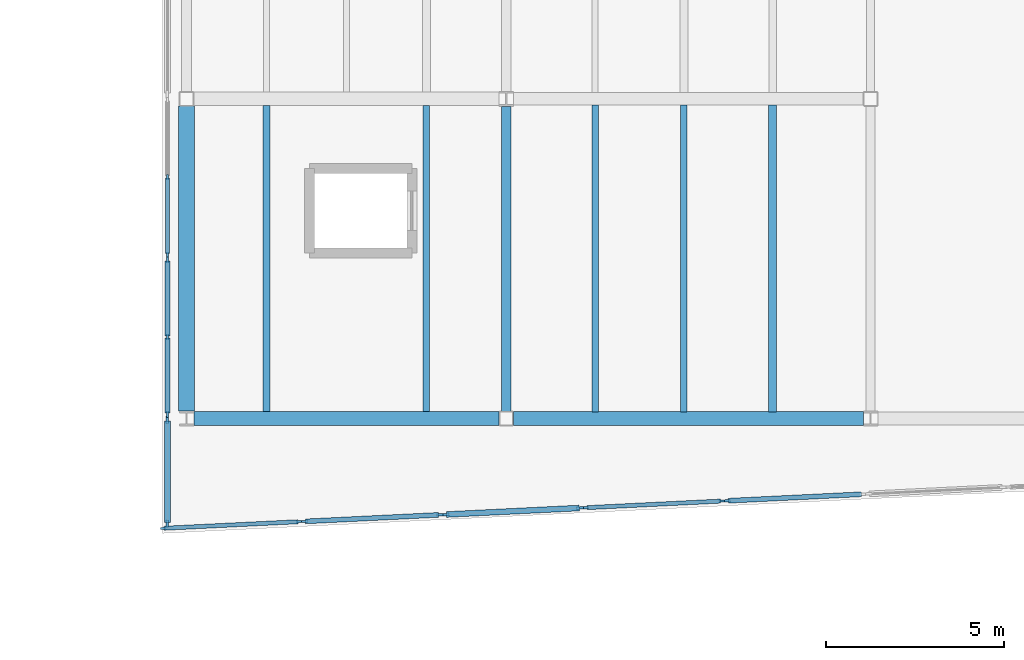
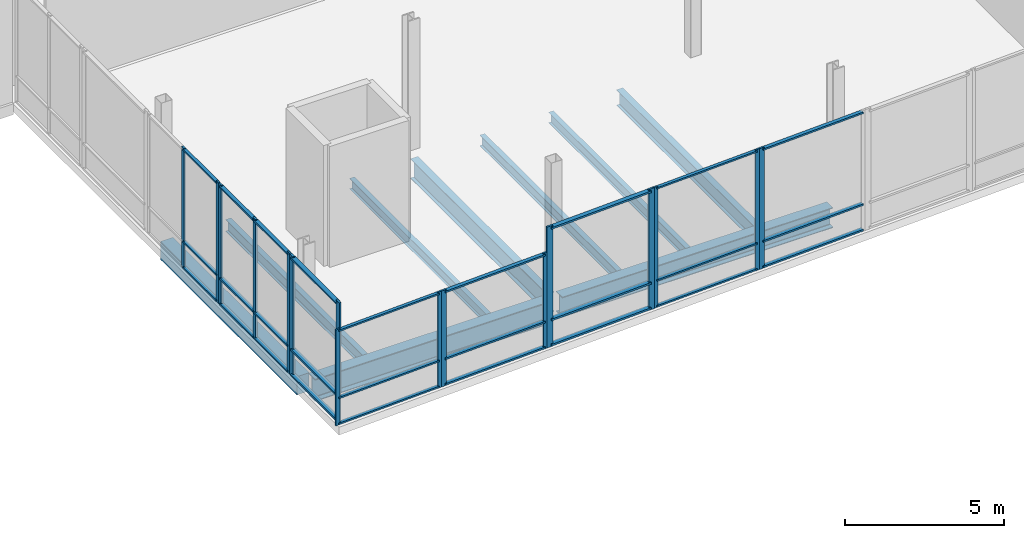
# One storey, part 19 of 81: 43 members, 9 beams, 8 elements without a shape of their own.
"""IFC4 building model written with IfcOpenShell, lengths in metres."""

from ifc_helpers import new_model, si_unit, direction, frame, origin, origin_2d, place, context, subcontext, project, spatial, rectangle, i_section, extrude, material, material_profile, profile_set, type_object, element, aggregate, save


model = new_model("IFC4")

# Units and contexts
model_context = context("Model", 3, precision=1e-05, world=origin(), true_north=direction((0.0, 1.0)))
body_context = subcontext(model_context, "Body", "Model", "MODEL_VIEW")
ifc_project = project(units=[si_unit("LENGTHUNIT", "METRE"), si_unit("AREAUNIT", "SQUARE_METRE"), si_unit("VOLUMEUNIT", "CUBIC_METRE"), si_unit("PLANEANGLEUNIT", "RADIAN"), si_unit("MASSUNIT", "GRAM", prefix="KILO")], contexts=[model_context])

# Site, building, storey
site_placement = place(None, origin())
site = spatial("IfcSite", under=ifc_project, at=site_placement, CompositionType="ELEMENT")
building_placement = place(site_placement, origin())
building = spatial("IfcBuilding", under=site, at=building_placement, Name="Trimount Lyric Opera House", CompositionType="ELEMENT")
storey_placement = place(building_placement, frame((0.0, 0.0, 5.0)))
storey = spatial("IfcBuildingStorey", under=building, at=storey_placement, Name="L01", CompositionType="ELEMENT", Elevation=5.0)

# Beams
ifc_material_1 = material(Name="Steel ASTM A992 Grade 50", Category="steel")
ifc_material_profile_1 = material_profile(ifc_material_1, i_section(OverallWidth=0.40087890625, OverallDepth=0.861083984375, WebThickness=0.019775390625, FlangeThickness=0.032470703125, FilletRadius=0.02001953125, at=origin_2d()), Name="W33X221")
ifc_profile_set_1 = profile_set([ifc_material_profile_1], Name="Steel ASTM A992 Grade 50")
beam_type_1 = type_object("IfcBeamType", Name="B-04", PredefinedType="BEAM", material=ifc_profile_set_1)
beam_1_placement = place(storey_placement, frame((45.202880859375, 26.0, -0.73046875), z_axis=(1.0, 0.0, 0.0), x_axis=(0.0, 1.0, 0.0)))
element("IfcBeam", 1, at=beam_1_placement, inside=storey, type_object=beam_type_1, Name="L01 girder X-0466", PredefinedType="BEAM", context=body_context, shape_type="SweptSolid", body=[
    extrude(i_section(OverallWidth=0.40087890625, OverallDepth=0.861083984375, WebThickness=0.019775390625, FlangeThickness=0.032470703125, FilletRadius=0.02001953125, at=origin_2d()), origin(), (0.0, 0.0, 1.0), 8.593994140625),
])
ifc_material_2 = material(Name="Steel ASTM A992 Grade 50", Category="steel")
ifc_material_profile_2 = material_profile(ifc_material_2, i_section(OverallWidth=0.382080078125, OverallDepth=0.779052734375, WebThickness=0.01806640625, FlangeThickness=0.0302734375, FilletRadius=0.01904296875, at=origin_2d()), Name="W30X191")
ifc_profile_set_2 = profile_set([ifc_material_profile_2], Name="Steel ASTM A992 Grade 50")
beam_type_2 = type_object("IfcBeamType", Name="B-06", PredefinedType="BEAM", material=ifc_profile_set_2)
beam_2_placement = place(storey_placement, frame((54.203125, 26.0, -0.689453125), z_axis=(1.0, 0.0, 0.0), x_axis=(0.0, 1.0, 0.0)))
element("IfcBeam", 2, at=beam_2_placement, inside=storey, type_object=beam_type_2, Name="L01 girder X-0467", PredefinedType="BEAM", context=body_context, shape_type="SweptSolid", body=[
    extrude(i_section(OverallWidth=0.382080078125, OverallDepth=0.779052734375, WebThickness=0.01806640625, FlangeThickness=0.0302734375, FilletRadius=0.01904296875, at=origin_2d()), origin(), (0.0, 0.0, 1.0), 9.853759765625),
])
ifc_material_3 = material(Name="Steel ASTM A992 Grade 50", Category="steel")
ifc_material_profile_3 = material_profile(ifc_material_3, i_section(OverallWidth=0.26708984375, OverallDepth=0.761962890625, WebThickness=0.014404296875, FlangeThickness=0.021484375, FilletRadius=0.01708984375, at=origin_2d()), Name="W30X116")
ifc_profile_set_3 = profile_set([ifc_material_profile_3], Name="Steel ASTM A992 Grade 50")
beam_type_3 = type_object("IfcBeamType", Name="B-07", PredefinedType="BEAM", material=ifc_profile_set_3)
beam_3_placement = place(storey_placement, frame((54.0, 26.203125, -0.680908203125), z_axis=(0.0, 1.0, 0.0), x_axis=(-1.0, 0.0, 0.0)))
element("IfcBeam", 3, at=beam_3_placement, inside=storey, type_object=beam_type_3, Name="L01 girder Y-0637", PredefinedType="BEAM", context=body_context, shape_type="SweptSolid", body=[
    extrude(i_section(OverallWidth=0.26708984375, OverallDepth=0.761962890625, WebThickness=0.014404296875, FlangeThickness=0.021484375, FilletRadius=0.01708984375, at=origin_2d()), origin(), (0.0, 0.0, 1.0), 8.58837890625),
])
ifc_material_4 = material(Name="Steel ASTM A992 Grade 50", Category="steel")
ifc_material_profile_4 = material_profile(ifc_material_4, i_section(OverallWidth=0.22802734375, OverallDepth=0.60205078125, WebThickness=0.010498046875, FlangeThickness=0.014892578125, FilletRadius=0.012939453125, at=origin_2d()), Name="W24X68")
ifc_profile_set_4 = profile_set([ifc_material_profile_4], Name="Steel ASTM A992 Grade 50")
beam_type_4 = type_object("IfcBeamType", Name="J-01", PredefinedType="BEAM", material=ifc_profile_set_4)
beam_4_placement = place(storey_placement, frame((61.5, 26.18701171875, -0.60107421875), z_axis=(0.0, 1.0, 0.0), x_axis=(-1.0, 0.0, 0.0)))
element("IfcBeam", 4, at=beam_4_placement, inside=storey, type_object=beam_type_4, Name="L01 composite floor joist 0664", PredefinedType="BEAM", context=body_context, shape_type="SweptSolid", body=[
    extrude(i_section(OverallWidth=0.22802734375, OverallDepth=0.60205078125, WebThickness=0.010498046875, FlangeThickness=0.014892578125, FilletRadius=0.012939453125, at=origin_2d()), origin(), (0.0, 0.0, 1.0), 8.638916015625),
])
ifc_material_5 = material(Name="Steel ASTM A992 Grade 50", Category="steel")
ifc_material_profile_5 = material_profile(ifc_material_5, i_section(OverallWidth=0.19091796875, OverallDepth=0.45703125, WebThickness=0.009033203125, FlangeThickness=0.014404296875, FilletRadius=0.010986328125, at=origin_2d()), Name="W18X50")
ifc_profile_set_5 = profile_set([ifc_material_profile_5], Name="Steel ASTM A992 Grade 50")
beam_type_5 = type_object("IfcBeamType", Name="J-04", PredefinedType="BEAM", material=ifc_profile_set_5)
beam_5_placement = place(storey_placement, frame((47.25, 26.196533203125, -0.528564453125), z_axis=(0.0, 1.0, 0.0), x_axis=(-1.0, 0.0, 0.0)))
element("IfcBeam", 5, at=beam_5_placement, inside=storey, type_object=beam_type_5, Name="L01 composite floor joist 0633", PredefinedType="BEAM", context=body_context, shape_type="SweptSolid", body=[
    extrude(i_section(OverallWidth=0.19091796875, OverallDepth=0.45703125, WebThickness=0.009033203125, FlangeThickness=0.014404296875, FilletRadius=0.010986328125, at=origin_2d()), origin(), (0.0, 0.0, 1.0), 8.616455078125),
])
ifc_material_6 = material(Name="Steel ASTM A992 Grade 50", Category="steel")
ifc_material_profile_6 = material_profile(ifc_material_6, i_section(OverallWidth=0.180908203125, OverallDepth=0.4169921875, WebThickness=0.010986328125, FlangeThickness=0.018310546875, FilletRadius=0.010986328125, at=origin_2d()), Name="W16X57")
ifc_profile_set_6 = profile_set([ifc_material_profile_6], Name="Steel ASTM A992 Grade 50")
beam_type_6 = type_object("IfcBeamType", Name="J-05", PredefinedType="BEAM", material=ifc_profile_set_6)
beam_6_placement = place(storey_placement, frame((56.5, 26.18701171875, -0.508544921875), z_axis=(0.0, 1.0, 0.0), x_axis=(-1.0, 0.0, 0.0)))
element("IfcBeam", 6, at=beam_6_placement, inside=storey, type_object=beam_type_6, Name="L01 composite floor joist 0662", PredefinedType="BEAM", context=body_context, shape_type="SweptSolid", body=[
    extrude(i_section(OverallWidth=0.180908203125, OverallDepth=0.4169921875, WebThickness=0.010986328125, FlangeThickness=0.018310546875, FilletRadius=0.010986328125, at=origin_2d()), origin(), (0.0, 0.0, 1.0), 8.638916015625),
])
ifc_material_7 = material(Name="Steel ASTM A992 Grade 50", Category="steel")
ifc_material_profile_7 = material_profile(ifc_material_7, i_section(OverallWidth=0.177978515625, OverallDepth=0.404052734375, WebThickness=0.007568359375, FlangeThickness=0.010986328125, FilletRadius=0.010009765625, at=origin_2d()), Name="W16X36")
ifc_profile_set_7 = profile_set([ifc_material_profile_7], Name="Steel ASTM A992 Grade 50")
beam_type_7 = type_object("IfcBeamType", Name="J-06", PredefinedType="BEAM", material=ifc_profile_set_7)
beam_7_placement = place(storey_placement, frame((51.75, 26.196533203125, -0.501953125), z_axis=(0.0, 1.0, 0.0), x_axis=(-1.0, 0.0, 0.0)))
element("IfcBeam", 7, at=beam_7_placement, inside=storey, type_object=beam_type_7, Name="L01 composite floor joist 0634", PredefinedType="BEAM", context=body_context, shape_type="SweptSolid", body=[
    extrude(i_section(OverallWidth=0.177978515625, OverallDepth=0.404052734375, WebThickness=0.007568359375, FlangeThickness=0.010986328125, FilletRadius=0.010009765625, at=origin_2d()), origin(), (0.0, 0.0, 1.0), 8.616455078125),
])
beam_8_placement = place(storey_placement, frame((59.0, 26.18701171875, -0.501953125), z_axis=(0.0, 1.0, 0.0), x_axis=(-1.0, 0.0, 0.0)))
element("IfcBeam", 8, at=beam_8_placement, inside=storey, type_object=beam_type_7, Name="L01 composite floor joist 0663", PredefinedType="BEAM", context=body_context, shape_type="SweptSolid", body=[
    extrude(i_section(OverallWidth=0.177978515625, OverallDepth=0.404052734375, WebThickness=0.007568359375, FlangeThickness=0.010986328125, FilletRadius=0.010009765625, at=origin_2d()), origin(), (0.0, 0.0, 1.0), 8.638916015625),
])

# Curtain wall, members
ifc_material_8 = material(Name="Thermally Broken Aluminium and Low-E Glass", Category="aluminium")
curtain_wall_type = type_object("IfcCurtainWallType", Name="CW-01", PredefinedType="NOTDEFINED", material=ifc_material_8)
curtain_wall_1_placement = place(storey_placement, origin())
curtain_wall_1 = element("IfcCurtainWall", 9, at=curtain_wall_1_placement, inside=storey, type_object=curtain_wall_type, Name="L01 curtain wall 108", PredefinedType="NOTDEFINED")
ifc_material_9 = material(Name="Anodised Aluminium 6063-T6", Category="aluminium")
ifc_material_profile_8 = material_profile(ifc_material_9, rectangle(XDim=0.070068359375, YDim=0.219970703125, at=origin_2d()), Name="ALU-MULL-70X220")
ifc_profile_set_8 = profile_set([ifc_material_profile_8], Name="Anodised Aluminium 6063-T6")
member_type_1 = type_object("IfcMemberType", Name="ML-01", PredefinedType="MULLION", material=ifc_profile_set_8)
member_1_placement = place(storey_placement, frame((56.092041015625, 23.481201171875, 0.0), z_axis=(0.0, 0.0, 1.0), x_axis=(0.048678684537, -0.998814490119, 0.0)))
member_1 = element("IfcMember", 10, at=member_1_placement, type_object=member_type_1, Name="CW-01 mullion 1", PredefinedType="MULLION", context=body_context, shape_type="SweptSolid", body=[
    extrude(rectangle(XDim=0.070068359375, YDim=0.219970703125, at=origin_2d()), origin(), (0.0, 0.0, 1.0), 4.64990234375),
])
member_2_placement = place(storey_placement, frame((52.283935546875, 23.295654296875, 0.0), z_axis=(0.0, 0.0, 1.0), x_axis=(0.048678684537, -0.998814490119, 0.0)))
member_2 = element("IfcMember", 11, at=member_2_placement, type_object=member_type_1, Name="CW-01 mullion 2", PredefinedType="MULLION", context=body_context, shape_type="SweptSolid", body=[
    extrude(rectangle(XDim=0.070068359375, YDim=0.219970703125, at=origin_2d()), origin(), (0.0, 0.0, 1.0), 4.64990234375),
])

curtain_wall_2_placement = place(storey_placement, origin())
curtain_wall_2 = element("IfcCurtainWall", 12, at=curtain_wall_2_placement, inside=storey, type_object=curtain_wall_type, Name="L01 curtain wall 111", PredefinedType="NOTDEFINED")
member_3_placement = place(storey_placement, frame((44.4599609375, 23.0390625, 0.0), z_axis=(0.0, 0.0, 1.0), x_axis=(-1.0, 0.0, 0.0)))
member_3 = element("IfcMember", 13, at=member_3_placement, type_object=member_type_1, Name="CW-01 mullion 1", PredefinedType="MULLION", context=body_context, shape_type="SweptSolid", body=[
    extrude(rectangle(XDim=0.070068359375, YDim=0.219970703125, at=origin_2d()), origin(), (0.0, 0.0, 1.0), 4.64990234375),
])
member_4_placement = place(storey_placement, frame((44.4599609375, 25.965087890625, 0.0), z_axis=(0.0, 0.0, 1.0), x_axis=(-1.0, 0.0, 0.0)))
member_4 = element("IfcMember", 14, at=member_4_placement, type_object=member_type_1, Name="CW-01 mullion 2", PredefinedType="MULLION", context=body_context, shape_type="SweptSolid", body=[
    extrude(rectangle(XDim=0.070068359375, YDim=0.219970703125, at=origin_2d()), origin(), (0.0, 0.0, 1.0), 4.64990234375),
])

# Curtain wall, member
curtain_wall_3_placement = place(storey_placement, origin())
curtain_wall_3 = element("IfcCurtainWall", 15, at=curtain_wall_3_placement, inside=storey, type_object=curtain_wall_type, Name="L01 curtain wall 106", PredefinedType="NOTDEFINED")
ifc_material_10 = material(Name="Anodised Aluminium 6063-T6", Category="aluminium")
ifc_material_profile_9 = material_profile(ifc_material_10, rectangle(XDim=0.06494140625, YDim=0.179931640625, at=origin_2d()), Name="ALU-MULL-65X180")
ifc_profile_set_9 = profile_set([ifc_material_profile_9], Name="Anodised Aluminium 6063-T6")
member_type_2 = type_object("IfcMemberType", Name="ML-02", PredefinedType="MULLION", material=ifc_profile_set_9)
member_5_placement = place(storey_placement, frame((60.217529296875, 23.6826171875, 0.0), z_axis=(0.0, 0.0, 1.0), x_axis=(0.048678684537, -0.998814490119, 0.0)))
member_5 = element("IfcMember", 16, at=member_5_placement, type_object=member_type_2, Name="CW-01 mullion 2", PredefinedType="MULLION", context=body_context, shape_type="SweptSolid", body=[
    extrude(rectangle(XDim=0.06494140625, YDim=0.179931640625, at=origin_2d()), origin(), (0.0, 0.0, 1.0), 4.64990234375),
])

# Curtain wall, members
curtain_wall_4_placement = place(storey_placement, origin())
curtain_wall_4 = element("IfcCurtainWall", 17, at=curtain_wall_4_placement, inside=storey, type_object=curtain_wall_type, Name="L01 curtain wall 109", PredefinedType="NOTDEFINED")
member_6_placement = place(storey_placement, frame((52.12646484375, 23.287353515625, 0.0), z_axis=(0.0, 0.0, 1.0), x_axis=(0.048678684537, -0.998814490119, 0.0)))
member_6 = element("IfcMember", 18, at=member_6_placement, type_object=member_type_2, Name="CW-01 mullion 1", PredefinedType="MULLION", context=body_context, shape_type="SweptSolid", body=[
    extrude(rectangle(XDim=0.06494140625, YDim=0.179931640625, at=origin_2d()), origin(), (0.0, 0.0, 1.0), 3.693115234375),
])
member_7_placement = place(storey_placement, frame((48.3134765625, 23.1015625, 0.0), z_axis=(0.0, 0.0, 1.0), x_axis=(0.048678684537, -0.998814490119, 0.0)))
member_7 = element("IfcMember", 19, at=member_7_placement, type_object=member_type_2, Name="CW-01 mullion 2", PredefinedType="MULLION", context=body_context, shape_type="SweptSolid", body=[
    extrude(rectangle(XDim=0.06494140625, YDim=0.179931640625, at=origin_2d()), origin(), (0.0, 0.0, 1.0), 3.693115234375),
])

curtain_wall_5_placement = place(storey_placement, origin())
curtain_wall_5 = element("IfcCurtainWall", 20, at=curtain_wall_5_placement, inside=storey, type_object=curtain_wall_type, Name="L01 curtain wall 112", PredefinedType="NOTDEFINED")
member_8_placement = place(storey_placement, frame((44.4599609375, 26.12255859375, 0.0), z_axis=(0.0, 0.0, 1.0), x_axis=(-1.0, 0.0, 0.0)))
member_8 = element("IfcMember", 21, at=member_8_placement, type_object=member_type_2, Name="CW-01 mullion 1", PredefinedType="MULLION", context=body_context, shape_type="SweptSolid", body=[
    extrude(rectangle(XDim=0.06494140625, YDim=0.179931640625, at=origin_2d()), origin(), (0.0, 0.0, 1.0), 4.64990234375),
])
member_9_placement = place(storey_placement, frame((44.4599609375, 28.294921875, 0.0), z_axis=(0.0, 0.0, 1.0), x_axis=(-1.0, 0.0, 0.0)))
member_9 = element("IfcMember", 22, at=member_9_placement, type_object=member_type_2, Name="CW-01 mullion 2", PredefinedType="MULLION", context=body_context, shape_type="SweptSolid", body=[
    extrude(rectangle(XDim=0.06494140625, YDim=0.179931640625, at=origin_2d()), origin(), (0.0, 0.0, 1.0), 4.64990234375),
])
member_10_placement = place(storey_placement, frame((44.4599609375, 30.467529296875, 0.0), z_axis=(0.0, 0.0, 1.0), x_axis=(-1.0, 0.0, 0.0)))
member_10 = element("IfcMember", 23, at=member_10_placement, type_object=member_type_2, Name="CW-01 mullion 3", PredefinedType="MULLION", context=body_context, shape_type="SweptSolid", body=[
    extrude(rectangle(XDim=0.06494140625, YDim=0.179931640625, at=origin_2d()), origin(), (0.0, 0.0, 1.0), 4.64990234375),
])

curtain_wall_6_placement = place(storey_placement, origin())
curtain_wall_6 = element("IfcCurtainWall", 24, at=curtain_wall_6_placement, inside=storey, type_object=curtain_wall_type, Name="L01 curtain wall 107", PredefinedType="NOTDEFINED")
ifc_material_11 = material(Name="Anodised Aluminium 6063-T6", Category="aluminium")
ifc_material_profile_10 = material_profile(ifc_material_11, rectangle(XDim=0.06005859375, YDim=0.14990234375, at=origin_2d()), Name="ALU-MULL-60X150")
ifc_profile_set_10 = profile_set([ifc_material_profile_10], Name="Anodised Aluminium 6063-T6")
member_type_3 = type_object("IfcMemberType", Name="ML-03", PredefinedType="MULLION", material=ifc_profile_set_10)
member_11_placement = place(storey_placement, frame((60.06494140625, 23.675537109375, 0.0), z_axis=(0.0, 0.0, 1.0), x_axis=(0.048935628556, -0.998801934448, 0.0)))
member_11 = element("IfcMember", 25, at=member_11_placement, type_object=member_type_3, Name="CW-01 mullion 1", PredefinedType="MULLION", context=body_context, shape_type="SweptSolid", body=[
    extrude(rectangle(XDim=0.06005859375, YDim=0.14990234375, at=origin_2d()), origin(), (0.0, 0.0, 1.0), 4.64990234375),
])
member_12_placement = place(storey_placement, frame((56.2470703125, 23.488525390625, 0.0), z_axis=(0.0, 0.0, 1.0), x_axis=(0.048935628556, -0.998801934448, 0.0)))
member_12 = element("IfcMember", 26, at=member_12_placement, type_object=member_type_3, Name="CW-01 mullion 2", PredefinedType="MULLION", context=body_context, shape_type="SweptSolid", body=[
    extrude(rectangle(XDim=0.06005859375, YDim=0.14990234375, at=origin_2d()), origin(), (0.0, 0.0, 1.0), 4.64990234375),
])

curtain_wall_7_placement = place(storey_placement, origin())
curtain_wall_7 = element("IfcCurtainWall", 27, at=curtain_wall_7_placement, inside=storey, type_object=curtain_wall_type, Name="L01 curtain wall 110", PredefinedType="NOTDEFINED")
member_13_placement = place(storey_placement, frame((48.1611328125, 23.094482421875, 0.0), z_axis=(0.0, 0.0, 1.0), x_axis=(0.048678684537, -0.998814490119, 0.0)))
member_13 = element("IfcMember", 28, at=member_13_placement, type_object=member_type_3, Name="CW-01 mullion 1", PredefinedType="MULLION", context=body_context, shape_type="SweptSolid", body=[
    extrude(rectangle(XDim=0.06005859375, YDim=0.14990234375, at=origin_2d()), origin(), (0.0, 0.0, 1.0), 3.693115234375),
])
member_14_placement = place(storey_placement, frame((44.343017578125, 22.908447265625, 0.0), z_axis=(0.0, 0.0, 1.0), x_axis=(0.048678684537, -0.998814490119, 0.0)))
member_14 = element("IfcMember", 29, at=member_14_placement, type_object=member_type_3, Name="CW-01 mullion 2", PredefinedType="MULLION", context=body_context, shape_type="SweptSolid", body=[
    extrude(rectangle(XDim=0.06005859375, YDim=0.14990234375, at=origin_2d()), origin(), (0.0, 0.0, 1.0), 3.693115234375),
])

curtain_wall_8_placement = place(storey_placement, origin())
curtain_wall_8 = element("IfcCurtainWall", 30, at=curtain_wall_8_placement, inside=storey, type_object=curtain_wall_type, Name="L01 curtain wall 113", PredefinedType="NOTDEFINED")
member_15_placement = place(storey_placement, frame((44.4599609375, 30.6201171875, 0.0), z_axis=(0.0, 0.0, 1.0), x_axis=(-1.0, 0.0, 0.0)))
member_15 = element("IfcMember", 31, at=member_15_placement, type_object=member_type_3, Name="CW-01 mullion 1", PredefinedType="MULLION", context=body_context, shape_type="SweptSolid", body=[
    extrude(rectangle(XDim=0.06005859375, YDim=0.14990234375, at=origin_2d()), origin(), (0.0, 0.0, 1.0), 4.64990234375),
])
member_16_placement = place(storey_placement, frame((44.4599609375, 32.794921875, 0.0), z_axis=(0.0, 0.0, 1.0), x_axis=(-1.0, 0.0, 0.0)))
member_16 = element("IfcMember", 32, at=member_16_placement, type_object=member_type_3, Name="CW-01 mullion 2", PredefinedType="MULLION", context=body_context, shape_type="SweptSolid", body=[
    extrude(rectangle(XDim=0.06005859375, YDim=0.14990234375, at=origin_2d()), origin(), (0.0, 0.0, 1.0), 4.64990234375),
])

# Beam
ifc_material_12 = material(Name="Concrete C40/50", Category="concrete")
ifc_material_profile_11 = material_profile(ifc_material_12, rectangle(XDim=0.449951171875, YDim=0.699951171875, at=origin_2d()), Name="RC450X700")
ifc_profile_set_11 = profile_set([ifc_material_profile_11], Name="Concrete C40/50")
beam_type_8 = type_object("IfcBeamType", Name="SP-02", PredefinedType="SPANDREL", material=ifc_profile_set_11)
beam_9_placement = place(storey_placement, frame((45.0, 26.20849609375, -0.64990234375), z_axis=(0.0, 1.0, 0.0), x_axis=(-1.0, 0.0, 0.0)))
element("IfcBeam", 33, at=beam_9_placement, inside=storey, type_object=beam_type_8, Name="L01 girder Y-0627", PredefinedType="SPANDREL", context=body_context, shape_type="SweptSolid", body=[
    extrude(rectangle(XDim=0.449951171875, YDim=0.699951171875, at=origin_2d()), origin(), (0.0, 0.0, 1.0), 8.58837890625),
])

# Member
ifc_material_13 = material(Name="Anodised Aluminium 6063-T6", Category="aluminium")
ifc_material_profile_12 = material_profile(ifc_material_13, rectangle(XDim=0.159912109375, YDim=0.070068359375, at=origin_2d()), Name="ALU-TRAN-70X160")
ifc_profile_set_12 = profile_set([ifc_material_profile_12], Name="Anodised Aluminium 6063-T6")
member_type_4 = type_object("IfcMemberType", Name="TR-01", PredefinedType="USERDEFINED", material=ifc_profile_set_12)
member_17_placement = place(storey_placement, frame((56.05712890625, 23.4794921875, 0.080078125), z_axis=(-0.998815291468, -0.048662239253, 0.0), x_axis=(0.048662239253, -0.998815291468, 0.0)))
member_17 = element("IfcMember", 34, at=member_17_placement, type_object=member_type_4, Name="CW-01 transom 1.1", ObjectType="TRANSOM", PredefinedType="USERDEFINED", context=body_context, shape_type="SweptSolid", body=[
    extrude(rectangle(XDim=0.159912109375, YDim=0.070068359375, at=origin_2d()), origin(), (0.0, 0.0, 1.0), 3.74267578125),
])

member_18_placement = place(storey_placement, frame((56.05712890625, 23.4794921875, 1.050048828125), z_axis=(-0.998815291468, -0.048662239253, 0.0), x_axis=(0.048662239253, -0.998815291468, 0.0)))
member_18 = element("IfcMember", 35, at=member_18_placement, type_object=member_type_4, Name="CW-01 transom 1.2", ObjectType="TRANSOM", PredefinedType="USERDEFINED", context=body_context, shape_type="SweptSolid", body=[
    extrude(rectangle(XDim=0.159912109375, YDim=0.070068359375, at=origin_2d()), origin(), (0.0, 0.0, 1.0), 3.74267578125),
])

member_19_placement = place(storey_placement, frame((56.05712890625, 23.4794921875, 4.570068359375), z_axis=(-0.998815291468, -0.048662239253, 0.0), x_axis=(0.048662239253, -0.998815291468, 0.0)))
member_19 = element("IfcMember", 36, at=member_19_placement, type_object=member_type_4, Name="CW-01 transom 1.3", ObjectType="TRANSOM", PredefinedType="USERDEFINED", context=body_context, shape_type="SweptSolid", body=[
    extrude(rectangle(XDim=0.159912109375, YDim=0.070068359375, at=origin_2d()), origin(), (0.0, 0.0, 1.0), 3.74267578125),
])

aggregate(curtain_wall_1, [member_1, member_2, member_17, member_18, member_19])

member_20_placement = place(storey_placement, frame((44.4599609375, 23.073974609375, 0.080078125), z_axis=(0.0, 1.0, 0.0), x_axis=(-1.0, 0.0, 0.0)))
member_20 = element("IfcMember", 37, at=member_20_placement, type_object=member_type_4, Name="CW-01 transom 1.1", ObjectType="TRANSOM", PredefinedType="USERDEFINED", context=body_context, shape_type="SweptSolid", body=[
    extrude(rectangle(XDim=0.159912109375, YDim=0.070068359375, at=origin_2d()), origin(), (0.0, 0.0, 1.0), 2.85595703125),
])

member_21_placement = place(storey_placement, frame((44.4599609375, 23.073974609375, 1.050048828125), z_axis=(0.0, 1.0, 0.0), x_axis=(-1.0, 0.0, 0.0)))
member_21 = element("IfcMember", 38, at=member_21_placement, type_object=member_type_4, Name="CW-01 transom 1.2", ObjectType="TRANSOM", PredefinedType="USERDEFINED", context=body_context, shape_type="SweptSolid", body=[
    extrude(rectangle(XDim=0.159912109375, YDim=0.070068359375, at=origin_2d()), origin(), (0.0, 0.0, 1.0), 2.85595703125),
])

member_22_placement = place(storey_placement, frame((44.4599609375, 23.073974609375, 4.570068359375), z_axis=(0.0, 1.0, 0.0), x_axis=(-1.0, 0.0, 0.0)))
member_22 = element("IfcMember", 39, at=member_22_placement, type_object=member_type_4, Name="CW-01 transom 1.3", ObjectType="TRANSOM", PredefinedType="USERDEFINED", context=body_context, shape_type="SweptSolid", body=[
    extrude(rectangle(XDim=0.159912109375, YDim=0.070068359375, at=origin_2d()), origin(), (0.0, 0.0, 1.0), 2.85595703125),
])

aggregate(curtain_wall_2, [member_3, member_4, member_20, member_21, member_22])

ifc_material_14 = material(Name="Anodised Aluminium 6063-T6", Category="aluminium")
ifc_material_profile_13 = material_profile(ifc_material_14, rectangle(XDim=0.135009765625, YDim=0.06494140625, at=origin_2d()), Name="ALU-TRAN-65X135")
ifc_profile_set_13 = profile_set([ifc_material_profile_13], Name="Anodised Aluminium 6063-T6")
member_type_5 = type_object("IfcMemberType", Name="TR-02", PredefinedType="USERDEFINED", material=ifc_profile_set_13)
member_23_placement = place(storey_placement, frame((63.998046875, 23.866943359375, 0.0673828125), z_axis=(-0.998811964977, -0.048730469109, 0.0), x_axis=(0.048730469109, -0.998811964977, 0.0)))
member_23 = element("IfcMember", 40, at=member_23_placement, type_object=member_type_5, Name="CW-01 transom 1.1", ObjectType="TRANSOM", PredefinedType="USERDEFINED", context=body_context, shape_type="SweptSolid", body=[
    extrude(rectangle(XDim=0.135009765625, YDim=0.06494140625, at=origin_2d()), origin(), (0.0, 0.0, 1.0), 3.75244140625),
])

member_24_placement = place(storey_placement, frame((63.998046875, 23.866943359375, 1.050048828125), z_axis=(-0.998811964977, -0.048730469109, 0.0), x_axis=(0.048730469109, -0.998811964977, 0.0)))
member_24 = element("IfcMember", 41, at=member_24_placement, type_object=member_type_5, Name="CW-01 transom 1.2", ObjectType="TRANSOM", PredefinedType="USERDEFINED", context=body_context, shape_type="SweptSolid", body=[
    extrude(rectangle(XDim=0.135009765625, YDim=0.06494140625, at=origin_2d()), origin(), (0.0, 0.0, 1.0), 3.75244140625),
])

member_25_placement = place(storey_placement, frame((63.998046875, 23.866943359375, 4.58251953125), z_axis=(-0.998811964977, -0.048730469109, 0.0), x_axis=(0.048730469109, -0.998811964977, 0.0)))
member_25 = element("IfcMember", 42, at=member_25_placement, type_object=member_type_5, Name="CW-01 transom 1.3", ObjectType="TRANSOM", PredefinedType="USERDEFINED", context=body_context, shape_type="SweptSolid", body=[
    extrude(rectangle(XDim=0.135009765625, YDim=0.06494140625, at=origin_2d()), origin(), (0.0, 0.0, 1.0), 3.75244140625),
])

aggregate(curtain_wall_3, [member_5, member_23, member_24, member_25])

member_26_placement = place(storey_placement, frame((52.093994140625, 23.285888671875, 0.0673828125), z_axis=(-0.99881512955, -0.048665562591, 0.0), x_axis=(0.048665562591, -0.99881512955, 0.0)))
member_26 = element("IfcMember", 43, at=member_26_placement, type_object=member_type_5, Name="CW-01 transom 1.1", ObjectType="TRANSOM", PredefinedType="USERDEFINED", context=body_context, shape_type="SweptSolid", body=[
    extrude(rectangle(XDim=0.135009765625, YDim=0.06494140625, at=origin_2d()), origin(), (0.0, 0.0, 1.0), 3.75244140625),
])

member_27_placement = place(storey_placement, frame((52.093994140625, 23.285888671875, 1.050048828125), z_axis=(-0.99881512955, -0.048665562591, 0.0), x_axis=(0.048665562591, -0.99881512955, 0.0)))
member_27 = element("IfcMember", 44, at=member_27_placement, type_object=member_type_5, Name="CW-01 transom 1.2", ObjectType="TRANSOM", PredefinedType="USERDEFINED", context=body_context, shape_type="SweptSolid", body=[
    extrude(rectangle(XDim=0.135009765625, YDim=0.06494140625, at=origin_2d()), origin(), (0.0, 0.0, 1.0), 3.75244140625),
])

member_28_placement = place(storey_placement, frame((52.093994140625, 23.285888671875, 3.62548828125), z_axis=(-0.99881512955, -0.048665562591, 0.0), x_axis=(0.048665562591, -0.99881512955, 0.0)))
member_28 = element("IfcMember", 45, at=member_28_placement, type_object=member_type_5, Name="CW-01 transom 1.3", ObjectType="TRANSOM", PredefinedType="USERDEFINED", context=body_context, shape_type="SweptSolid", body=[
    extrude(rectangle(XDim=0.135009765625, YDim=0.06494140625, at=origin_2d()), origin(), (0.0, 0.0, 1.0), 3.75244140625),
])

aggregate(curtain_wall_4, [member_6, member_7, member_26, member_27, member_28])

member_29_placement = place(storey_placement, frame((44.4599609375, 26.155029296875, 0.0673828125), z_axis=(0.0, 1.0, 0.0), x_axis=(-1.0, 0.0, 0.0)))
member_29 = element("IfcMember", 46, at=member_29_placement, type_object=member_type_5, Name="CW-01 transom 1.1", ObjectType="TRANSOM", PredefinedType="USERDEFINED", context=body_context, shape_type="SweptSolid", body=[
    extrude(rectangle(XDim=0.135009765625, YDim=0.06494140625, at=origin_2d()), origin(), (0.0, 0.0, 1.0), 2.107421875),
])

member_30_placement = place(storey_placement, frame((44.4599609375, 26.155029296875, 1.050048828125), z_axis=(0.0, 1.0, 0.0), x_axis=(-1.0, 0.0, 0.0)))
member_30 = element("IfcMember", 47, at=member_30_placement, type_object=member_type_5, Name="CW-01 transom 1.2", ObjectType="TRANSOM", PredefinedType="USERDEFINED", context=body_context, shape_type="SweptSolid", body=[
    extrude(rectangle(XDim=0.135009765625, YDim=0.06494140625, at=origin_2d()), origin(), (0.0, 0.0, 1.0), 2.107421875),
])

member_31_placement = place(storey_placement, frame((44.4599609375, 26.155029296875, 4.58251953125), z_axis=(0.0, 1.0, 0.0), x_axis=(-1.0, 0.0, 0.0)))
member_31 = element("IfcMember", 48, at=member_31_placement, type_object=member_type_5, Name="CW-01 transom 1.3", ObjectType="TRANSOM", PredefinedType="USERDEFINED", context=body_context, shape_type="SweptSolid", body=[
    extrude(rectangle(XDim=0.135009765625, YDim=0.06494140625, at=origin_2d()), origin(), (0.0, 0.0, 1.0), 2.107421875),
])

member_32_placement = place(storey_placement, frame((44.4599609375, 28.327392578125, 0.0673828125), z_axis=(0.0, 1.0, 0.0), x_axis=(-1.0, 0.0, 0.0)))
member_32 = element("IfcMember", 49, at=member_32_placement, type_object=member_type_5, Name="CW-01 transom 2.1", ObjectType="TRANSOM", PredefinedType="USERDEFINED", context=body_context, shape_type="SweptSolid", body=[
    extrude(rectangle(XDim=0.135009765625, YDim=0.06494140625, at=origin_2d()), origin(), (0.0, 0.0, 1.0), 2.107666015625),
])

member_33_placement = place(storey_placement, frame((44.4599609375, 28.327392578125, 1.050048828125), z_axis=(0.0, 1.0, 0.0), x_axis=(-1.0, 0.0, 0.0)))
member_33 = element("IfcMember", 50, at=member_33_placement, type_object=member_type_5, Name="CW-01 transom 2.2", ObjectType="TRANSOM", PredefinedType="USERDEFINED", context=body_context, shape_type="SweptSolid", body=[
    extrude(rectangle(XDim=0.135009765625, YDim=0.06494140625, at=origin_2d()), origin(), (0.0, 0.0, 1.0), 2.107666015625),
])

member_34_placement = place(storey_placement, frame((44.4599609375, 28.327392578125, 4.58251953125), z_axis=(0.0, 1.0, 0.0), x_axis=(-1.0, 0.0, 0.0)))
member_34 = element("IfcMember", 51, at=member_34_placement, type_object=member_type_5, Name="CW-01 transom 2.3", ObjectType="TRANSOM", PredefinedType="USERDEFINED", context=body_context, shape_type="SweptSolid", body=[
    extrude(rectangle(XDim=0.135009765625, YDim=0.06494140625, at=origin_2d()), origin(), (0.0, 0.0, 1.0), 2.107666015625),
])

aggregate(curtain_wall_5, [member_8, member_9, member_10, member_29, member_30, member_31, member_32, member_33, member_34])

ifc_material_15 = material(Name="Anodised Aluminium 6063-T6", Category="aluminium")
ifc_material_profile_14 = material_profile(ifc_material_15, rectangle(XDim=0.114990234375, YDim=0.06005859375, at=origin_2d()), Name="ALU-TRAN-60X115")
ifc_profile_set_14 = profile_set([ifc_material_profile_14], Name="Anodised Aluminium 6063-T6")
member_type_6 = type_object("IfcMemberType", Name="TR-03", PredefinedType="USERDEFINED", material=ifc_profile_set_14)
member_35_placement = place(storey_placement, frame((60.03515625, 23.674072265625, 0.0576171875), z_axis=(-0.998802627807, -0.048921474689, 0.0), x_axis=(0.048921474689, -0.998802627807, 0.0)))
member_35 = element("IfcMember", 52, at=member_35_placement, type_object=member_type_6, Name="CW-01 transom 1.1", ObjectType="TRANSOM", PredefinedType="USERDEFINED", context=body_context, shape_type="SweptSolid", body=[
    extrude(rectangle(XDim=0.114990234375, YDim=0.06005859375, at=origin_2d()), origin(), (0.0, 0.0, 1.0), 3.7626953125),
])

member_36_placement = place(storey_placement, frame((60.03515625, 23.674072265625, 1.050048828125), z_axis=(-0.998802627807, -0.048921474689, 0.0), x_axis=(0.048921474689, -0.998802627807, 0.0)))
member_36 = element("IfcMember", 53, at=member_36_placement, type_object=member_type_6, Name="CW-01 transom 1.2", ObjectType="TRANSOM", PredefinedType="USERDEFINED", context=body_context, shape_type="SweptSolid", body=[
    extrude(rectangle(XDim=0.114990234375, YDim=0.06005859375, at=origin_2d()), origin(), (0.0, 0.0, 1.0), 3.7626953125),
])

member_37_placement = place(storey_placement, frame((60.03515625, 23.674072265625, 4.592529296875), z_axis=(-0.998802627807, -0.048921474689, 0.0), x_axis=(0.048921474689, -0.998802627807, 0.0)))
member_37 = element("IfcMember", 54, at=member_37_placement, type_object=member_type_6, Name="CW-01 transom 1.3", ObjectType="TRANSOM", PredefinedType="USERDEFINED", context=body_context, shape_type="SweptSolid", body=[
    extrude(rectangle(XDim=0.114990234375, YDim=0.06005859375, at=origin_2d()), origin(), (0.0, 0.0, 1.0), 3.7626953125),
])

aggregate(curtain_wall_6, [member_11, member_12, member_35, member_36, member_37])

member_38_placement = place(storey_placement, frame((48.131103515625, 23.093017578125, 0.0576171875), z_axis=(-0.998815122154, -0.048665714391, 0.0), x_axis=(0.048665714391, -0.998815122154, 0.0)))
member_38 = element("IfcMember", 55, at=member_38_placement, type_object=member_type_6, Name="CW-01 transom 1.1", ObjectType="TRANSOM", PredefinedType="USERDEFINED", context=body_context, shape_type="SweptSolid", body=[
    extrude(rectangle(XDim=0.114990234375, YDim=0.06005859375, at=origin_2d()), origin(), (0.0, 0.0, 1.0), 3.762451171875),
])

member_39_placement = place(storey_placement, frame((48.131103515625, 23.093017578125, 1.050048828125), z_axis=(-0.998815122154, -0.048665714391, 0.0), x_axis=(0.048665714391, -0.998815122154, 0.0)))
member_39 = element("IfcMember", 56, at=member_39_placement, type_object=member_type_6, Name="CW-01 transom 1.2", ObjectType="TRANSOM", PredefinedType="USERDEFINED", context=body_context, shape_type="SweptSolid", body=[
    extrude(rectangle(XDim=0.114990234375, YDim=0.06005859375, at=origin_2d()), origin(), (0.0, 0.0, 1.0), 3.762451171875),
])

member_40_placement = place(storey_placement, frame((48.131103515625, 23.093017578125, 3.635498046875), z_axis=(-0.998815122154, -0.048665714391, 0.0), x_axis=(0.048665714391, -0.998815122154, 0.0)))
member_40 = element("IfcMember", 57, at=member_40_placement, type_object=member_type_6, Name="CW-01 transom 1.3", ObjectType="TRANSOM", PredefinedType="USERDEFINED", context=body_context, shape_type="SweptSolid", body=[
    extrude(rectangle(XDim=0.114990234375, YDim=0.06005859375, at=origin_2d()), origin(), (0.0, 0.0, 1.0), 3.762451171875),
])

aggregate(curtain_wall_7, [member_13, member_14, member_38, member_39, member_40])

member_41_placement = place(storey_placement, frame((44.4599609375, 30.64990234375, 0.0576171875), z_axis=(0.0, 1.0, 0.0), x_axis=(-1.0, 0.0, 0.0)))
member_41 = element("IfcMember", 58, at=member_41_placement, type_object=member_type_6, Name="CW-01 transom 1.1", ObjectType="TRANSOM", PredefinedType="USERDEFINED", context=body_context, shape_type="SweptSolid", body=[
    extrude(rectangle(XDim=0.114990234375, YDim=0.06005859375, at=origin_2d()), origin(), (0.0, 0.0, 1.0), 2.114990234375),
])

member_42_placement = place(storey_placement, frame((44.4599609375, 30.64990234375, 1.050048828125), z_axis=(0.0, 1.0, 0.0), x_axis=(-1.0, 0.0, 0.0)))
member_42 = element("IfcMember", 59, at=member_42_placement, type_object=member_type_6, Name="CW-01 transom 1.2", ObjectType="TRANSOM", PredefinedType="USERDEFINED", context=body_context, shape_type="SweptSolid", body=[
    extrude(rectangle(XDim=0.114990234375, YDim=0.06005859375, at=origin_2d()), origin(), (0.0, 0.0, 1.0), 2.114990234375),
])

member_43_placement = place(storey_placement, frame((44.4599609375, 30.64990234375, 4.592529296875), z_axis=(0.0, 1.0, 0.0), x_axis=(-1.0, 0.0, 0.0)))
member_43 = element("IfcMember", 60, at=member_43_placement, type_object=member_type_6, Name="CW-01 transom 1.3", ObjectType="TRANSOM", PredefinedType="USERDEFINED", context=body_context, shape_type="SweptSolid", body=[
    extrude(rectangle(XDim=0.114990234375, YDim=0.06005859375, at=origin_2d()), origin(), (0.0, 0.0, 1.0), 2.114990234375),
])

aggregate(curtain_wall_8, [member_15, member_16, member_41, member_42, member_43])

save(model, "model.ifc")
